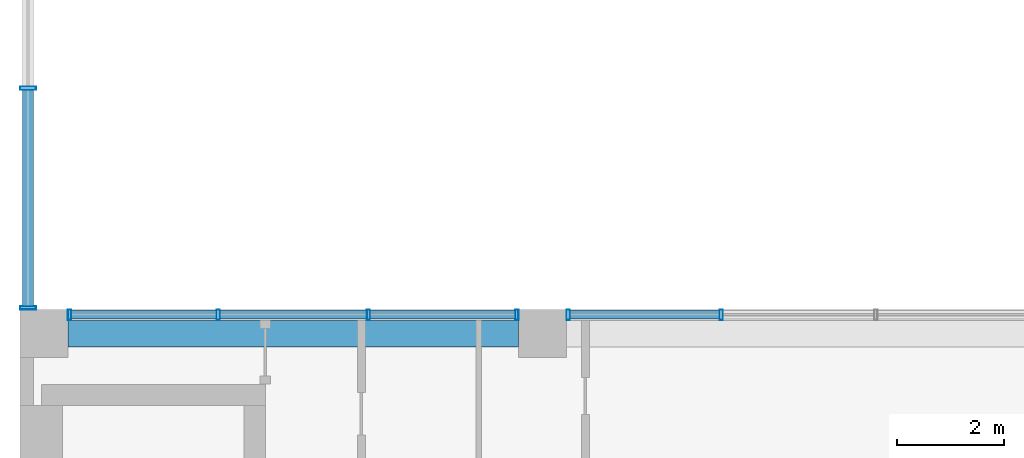
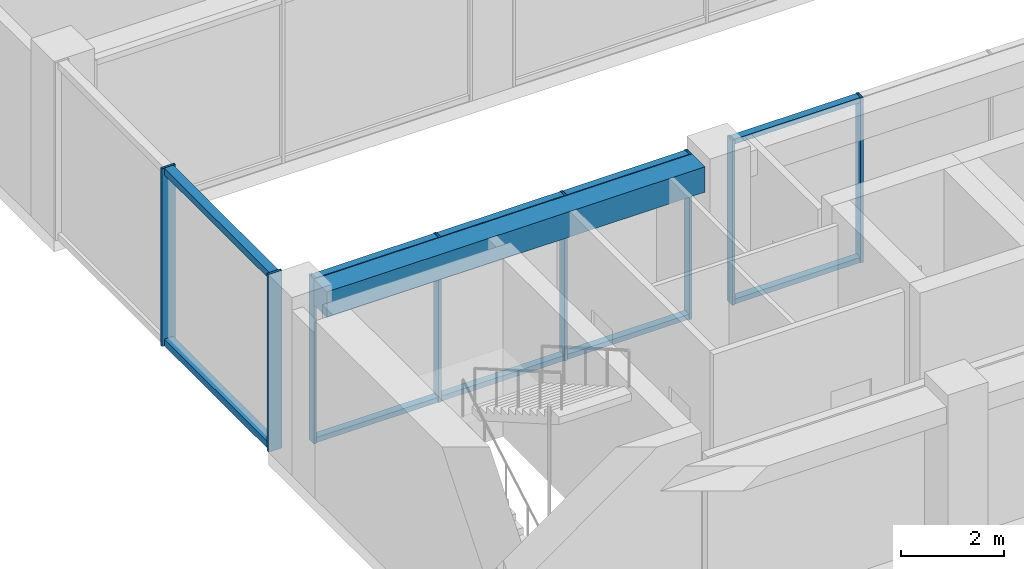
# One storey, part 6 of 37: 18 members, 1 beam, 3 elements without a shape of their own.
"""IFC4 building model written with IfcOpenShell, lengths in metres."""

from ifc_helpers import new_model, si_unit, direction, frame, origin, origin_2d, place, context, subcontext, project, spatial, rectangle, hollow_rectangle, extrude, material, layer, layer_set, material_profile, profile_set, type_object, element, aggregate, save


model = new_model("IFC4")

# Units and contexts
model_context = context("Model", 3, precision=1e-05, world=origin(), true_north=direction((0.0, 1.0)))
body_context = subcontext(model_context, "Body", "Model", "MODEL_VIEW")
ifc_project = project(units=[si_unit("LENGTHUNIT", "METRE"), si_unit("AREAUNIT", "SQUARE_METRE"), si_unit("VOLUMEUNIT", "CUBIC_METRE"), si_unit("PLANEANGLEUNIT", "RADIAN"), si_unit("MASSUNIT", "GRAM", prefix="KILO")], contexts=[model_context])

# Site, building, storey
site_placement = place(None, origin())
site = spatial("IfcSite", under=ifc_project, at=site_placement, CompositionType="ELEMENT")
building_placement = place(site_placement, origin())
building = spatial("IfcBuilding", under=site, at=building_placement, Name="Nzadi Deep Aquarium and Research Tower", CompositionType="ELEMENT")
storey_placement = place(building_placement, frame((0.0, 0.0, 61.300048828125)))
storey = spatial("IfcBuildingStorey", under=building, at=storey_placement, Name="L12", CompositionType="ELEMENT", Elevation=61.300048828125)

# Curtain wall, members
ifc_material_1 = material(Name="Aluminium unitised frame", Category="aluminium")
ifc_layer_1 = layer(ifc_material_1, 0.199951171875)
ifc_layer_set_1 = layer_set([ifc_layer_1], Name="Aluminium unitised frame")
curtain_wall_type_1 = type_object("IfcCurtainWallType", Name="Curtain wall Unitised 200", PredefinedType="NOTDEFINED", material=ifc_layer_set_1)
curtain_wall_1_placement = place(storey_placement, origin())
curtain_wall_1 = element("IfcCurtainWall", 1, at=curtain_wall_1_placement, inside=storey, type_object=curtain_wall_type_1, Name="Unitised curtain wall blade A north L12", PredefinedType="NOTDEFINED")
ifc_material_2 = material(Name="Aluminium unitised frame", Category="aluminium")
ifc_material_profile_1 = material_profile(ifc_material_2, hollow_rectangle(XDim=0.199951171875, YDim=0.06005859375, WallThickness=0.0048828125, at=origin_2d()))
ifc_profile_set_1 = profile_set([ifc_material_profile_1], Name="Aluminium unitised frame")
member_type_1 = type_object("IfcMemberType", Name="Mullion 60x200 Unitised", PredefinedType="MULLION", material=ifc_profile_set_1)
member_1_placement = place(storey_placement, frame((0.72998046875, 18.75, 0.0), z_axis=(0.0, 0.0, 1.0), x_axis=(0.0, 1.0, 0.0)))
member_1 = element("IfcMember", 2, at=member_1_placement, type_object=member_type_1, Name="CW051 mullion 1", PredefinedType="MULLION", context=body_context, shape_type="SweptSolid", body=[
    extrude(hollow_rectangle(XDim=0.199951171875, YDim=0.06005859375, WallThickness=0.0048828125, at=origin_2d()), origin(), (0.0, 0.0, 1.0), 3.89990234375),
])
member_2_placement = place(storey_placement, frame((3.5166015625, 18.75, 0.0), z_axis=(0.0, 0.0, 1.0), x_axis=(0.0, 1.0, 0.0)))
member_2 = element("IfcMember", 3, at=member_2_placement, type_object=member_type_1, Name="CW051 mullion 2", PredefinedType="MULLION", context=body_context, shape_type="SweptSolid", body=[
    extrude(hollow_rectangle(XDim=0.199951171875, YDim=0.06005859375, WallThickness=0.0048828125, at=origin_2d()), origin(), (0.0, 0.0, 1.0), 3.89990234375),
])
member_3_placement = place(storey_placement, frame((6.333251953125, 18.75, 0.0), z_axis=(0.0, 0.0, 1.0), x_axis=(0.0, 1.0, 0.0)))
member_3 = element("IfcMember", 4, at=member_3_placement, type_object=member_type_1, Name="CW051 mullion 3", PredefinedType="MULLION", context=body_context, shape_type="SweptSolid", body=[
    extrude(hollow_rectangle(XDim=0.199951171875, YDim=0.06005859375, WallThickness=0.0048828125, at=origin_2d()), origin(), (0.0, 0.0, 1.0), 3.89990234375),
])
member_4_placement = place(storey_placement, frame((9.1201171875, 18.75, 0.0), z_axis=(0.0, 0.0, 1.0), x_axis=(0.0, 1.0, 0.0)))
member_4 = element("IfcMember", 5, at=member_4_placement, type_object=member_type_1, Name="CW051 mullion 4", PredefinedType="MULLION", context=body_context, shape_type="SweptSolid", body=[
    extrude(hollow_rectangle(XDim=0.199951171875, YDim=0.06005859375, WallThickness=0.0048828125, at=origin_2d()), origin(), (0.0, 0.0, 1.0), 3.89990234375),
])

curtain_wall_2_placement = place(storey_placement, origin())
curtain_wall_2 = element("IfcCurtainWall", 6, at=curtain_wall_2_placement, inside=storey, type_object=curtain_wall_type_1, Name="Unitised curtain wall blade A north L12", PredefinedType="NOTDEFINED")
member_5_placement = place(storey_placement, frame((10.080078125, 18.75, 0.0), z_axis=(0.0, 0.0, 1.0), x_axis=(0.0, 1.0, 0.0)))
member_5 = element("IfcMember", 7, at=member_5_placement, type_object=member_type_1, Name="CW052 mullion 1", PredefinedType="MULLION", context=body_context, shape_type="SweptSolid", body=[
    extrude(hollow_rectangle(XDim=0.199951171875, YDim=0.06005859375, WallThickness=0.0048828125, at=origin_2d()), origin(), (0.0, 0.0, 1.0), 3.89990234375),
])
member_6_placement = place(storey_placement, frame((12.949951171875, 18.75, 0.0), z_axis=(0.0, 0.0, 1.0), x_axis=(0.0, 1.0, 0.0)))
member_6 = element("IfcMember", 8, at=member_6_placement, type_object=member_type_1, Name="CW052 mullion 2", PredefinedType="MULLION", context=body_context, shape_type="SweptSolid", body=[
    extrude(hollow_rectangle(XDim=0.199951171875, YDim=0.06005859375, WallThickness=0.0048828125, at=origin_2d()), origin(), (0.0, 0.0, 1.0), 3.89990234375),
])

ifc_material_3 = material(Name="Aluminium unitised frame wind post", Category="aluminium")
ifc_layer_2 = layer(ifc_material_3, 0.300048828125)
ifc_layer_set_2 = layer_set([ifc_layer_2], Name="Aluminium unitised frame wind post")
curtain_wall_type_2 = type_object("IfcCurtainWallType", Name="Curtain wall Slot End 300", PredefinedType="NOTDEFINED", material=ifc_layer_set_2)
curtain_wall_3_placement = place(storey_placement, origin())
curtain_wall_3 = element("IfcCurtainWall", 9, at=curtain_wall_3_placement, inside=storey, type_object=curtain_wall_type_2, Name="Glazed slot end west L12", PredefinedType="NOTDEFINED")
ifc_material_4 = material(Name="Aluminium unitised frame wind post", Category="aluminium")
ifc_material_profile_2 = material_profile(ifc_material_4, hollow_rectangle(XDim=0.300048828125, YDim=0.06005859375, WallThickness=0.0048828125, at=origin_2d()))
ifc_profile_set_2 = profile_set([ifc_material_profile_2], Name="Aluminium unitised frame wind post")
member_type_2 = type_object("IfcMemberType", Name="Mullion 60x300 Slot End", PredefinedType="MULLION", material=ifc_profile_set_2)
member_7_placement = place(storey_placement, frame((-0.049560546875, 18.8798828125, 0.0), z_axis=(0.0, 0.0, 1.0), x_axis=(-1.0, 0.0, 0.0)))
member_7 = element("IfcMember", 10, at=member_7_placement, type_object=member_type_2, Name="CW215 mullion 1", PredefinedType="MULLION", context=body_context, shape_type="SweptSolid", body=[
    extrude(hollow_rectangle(XDim=0.300048828125, YDim=0.06005859375, WallThickness=0.0048828125, at=origin_2d()), origin(), (0.0, 0.0, 1.0), 4.199951171875),
])
member_8_placement = place(storey_placement, frame((-0.049560546875, 23.0, 0.0), z_axis=(0.0, 0.0, 1.0), x_axis=(-1.0, 0.0, 0.0)))
member_8 = element("IfcMember", 11, at=member_8_placement, type_object=member_type_2, Name="CW215 mullion 2", PredefinedType="MULLION", context=body_context, shape_type="SweptSolid", body=[
    extrude(hollow_rectangle(XDim=0.300048828125, YDim=0.06005859375, WallThickness=0.0048828125, at=origin_2d()), origin(), (0.0, 0.0, 1.0), 4.199951171875),
])

# Beam
ifc_material_5 = material(Name="Concrete C35/45", Category="concrete")
ifc_material_profile_3 = material_profile(ifc_material_5, rectangle(XDim=0.5, YDim=0.60009765625, at=origin_2d()))
ifc_profile_set_3 = profile_set([ifc_material_profile_3], Name="Concrete C35/45")
beam_type = type_object("IfcBeamType", Name="RC 500x600", PredefinedType="BEAM", material=ifc_profile_set_3)
beam_placement = place(storey_placement, frame((0.699951171875, 18.39990234375, 3.599853515625), z_axis=(1.0, 0.0, 0.0), x_axis=(0.0, 1.0, 0.0)))
element("IfcBeam", 12, at=beam_placement, inside=storey, type_object=beam_type, Name="B-Z1-L12-L3-1", PredefinedType="BEAM", context=body_context, shape_type="SweptSolid", body=[
    extrude(rectangle(XDim=0.5, YDim=0.60009765625, at=origin_2d()), origin(), (0.0, 0.0, 1.0), 8.449951171875),
])

# Member
ifc_material_6 = material(Name="Aluminium unitised frame", Category="aluminium")
ifc_material_profile_4 = material_profile(ifc_material_6, hollow_rectangle(XDim=0.159912109375, YDim=0.1201171875, WallThickness=0.0048828125, at=origin_2d()))
ifc_profile_set_4 = profile_set([ifc_material_profile_4], Name="Aluminium unitised frame")
member_type_3 = type_object("IfcMemberType", Name="Transom 120x160 Unitised", PredefinedType="MULLION", material=ifc_profile_set_4)
member_9_placement = place(storey_placement, frame((0.760009765625, 18.75, 0.06005859375), z_axis=(1.0, 0.0, 0.0), x_axis=(0.0, 1.0, 0.0)))
member_9 = element("IfcMember", 13, at=member_9_placement, type_object=member_type_3, Name="CW051 transom 1.1", PredefinedType="MULLION", context=body_context, shape_type="SweptSolid", body=[
    extrude(hollow_rectangle(XDim=0.159912109375, YDim=0.1201171875, WallThickness=0.0048828125, at=origin_2d()), origin(), (0.0, 0.0, 1.0), 2.7265625),
])

member_10_placement = place(storey_placement, frame((0.760009765625, 18.75, 3.83984375), z_axis=(1.0, 0.0, 0.0), x_axis=(0.0, 1.0, 0.0)))
member_10 = element("IfcMember", 14, at=member_10_placement, type_object=member_type_3, Name="CW051 transom 1.2", PredefinedType="MULLION", context=body_context, shape_type="SweptSolid", body=[
    extrude(hollow_rectangle(XDim=0.159912109375, YDim=0.1201171875, WallThickness=0.0048828125, at=origin_2d()), origin(), (0.0, 0.0, 1.0), 2.7265625),
])

member_11_placement = place(storey_placement, frame((3.546630859375, 18.75, 0.06005859375), z_axis=(1.0, 0.0, 0.0), x_axis=(0.0, 1.0, 0.0)))
member_11 = element("IfcMember", 15, at=member_11_placement, type_object=member_type_3, Name="CW051 transom 2.1", PredefinedType="MULLION", context=body_context, shape_type="SweptSolid", body=[
    extrude(hollow_rectangle(XDim=0.159912109375, YDim=0.1201171875, WallThickness=0.0048828125, at=origin_2d()), origin(), (0.0, 0.0, 1.0), 2.756591796875),
])

member_12_placement = place(storey_placement, frame((3.546630859375, 18.75, 3.83984375), z_axis=(1.0, 0.0, 0.0), x_axis=(0.0, 1.0, 0.0)))
member_12 = element("IfcMember", 16, at=member_12_placement, type_object=member_type_3, Name="CW051 transom 2.2", PredefinedType="MULLION", context=body_context, shape_type="SweptSolid", body=[
    extrude(hollow_rectangle(XDim=0.159912109375, YDim=0.1201171875, WallThickness=0.0048828125, at=origin_2d()), origin(), (0.0, 0.0, 1.0), 2.756591796875),
])

member_13_placement = place(storey_placement, frame((6.36328125, 18.75, 0.06005859375), z_axis=(1.0, 0.0, 0.0), x_axis=(0.0, 1.0, 0.0)))
member_13 = element("IfcMember", 17, at=member_13_placement, type_object=member_type_3, Name="CW051 transom 3.1", PredefinedType="MULLION", context=body_context, shape_type="SweptSolid", body=[
    extrude(hollow_rectangle(XDim=0.159912109375, YDim=0.1201171875, WallThickness=0.0048828125, at=origin_2d()), origin(), (0.0, 0.0, 1.0), 2.726806640625),
])

member_14_placement = place(storey_placement, frame((6.36328125, 18.75, 3.83984375), z_axis=(1.0, 0.0, 0.0), x_axis=(0.0, 1.0, 0.0)))
member_14 = element("IfcMember", 18, at=member_14_placement, type_object=member_type_3, Name="CW051 transom 3.2", PredefinedType="MULLION", context=body_context, shape_type="SweptSolid", body=[
    extrude(hollow_rectangle(XDim=0.159912109375, YDim=0.1201171875, WallThickness=0.0048828125, at=origin_2d()), origin(), (0.0, 0.0, 1.0), 2.726806640625),
])

aggregate(curtain_wall_1, [member_1, member_2, member_3, member_4, member_9, member_10, member_11, member_12, member_13, member_14])

member_15_placement = place(storey_placement, frame((10.110107421875, 18.75, 0.06005859375), z_axis=(1.0, 0.0, 0.0), x_axis=(0.0, 1.0, 0.0)))
member_15 = element("IfcMember", 19, at=member_15_placement, type_object=member_type_3, Name="CW052 transom 1.1", PredefinedType="MULLION", context=body_context, shape_type="SweptSolid", body=[
    extrude(hollow_rectangle(XDim=0.159912109375, YDim=0.1201171875, WallThickness=0.0048828125, at=origin_2d()), origin(), (0.0, 0.0, 1.0), 2.809814453125),
])

member_16_placement = place(storey_placement, frame((10.110107421875, 18.75, 3.83984375), z_axis=(1.0, 0.0, 0.0), x_axis=(0.0, 1.0, 0.0)))
member_16 = element("IfcMember", 20, at=member_16_placement, type_object=member_type_3, Name="CW052 transom 1.2", PredefinedType="MULLION", context=body_context, shape_type="SweptSolid", body=[
    extrude(hollow_rectangle(XDim=0.159912109375, YDim=0.1201171875, WallThickness=0.0048828125, at=origin_2d()), origin(), (0.0, 0.0, 1.0), 2.809814453125),
])

aggregate(curtain_wall_2, [member_5, member_6, member_15, member_16])

ifc_material_7 = material(Name="Aluminium unitised frame wind post", Category="aluminium")
ifc_material_profile_5 = material_profile(ifc_material_7, hollow_rectangle(XDim=0.199951171875, YDim=0.159912109375, WallThickness=0.0048828125, at=origin_2d()))
ifc_profile_set_5 = profile_set([ifc_material_profile_5], Name="Aluminium unitised frame wind post")
member_type_4 = type_object("IfcMemberType", Name="Transom 160x200 Slot End", PredefinedType="MULLION", material=ifc_profile_set_5)
member_17_placement = place(storey_placement, frame((-0.050048828125, 18.909912109375, 0.079833984375), z_axis=(0.0, 1.0, 0.0), x_axis=(-1.0, 0.0, 0.0)))
member_17 = element("IfcMember", 21, at=member_17_placement, type_object=member_type_4, Name="CW215 transom 1.1", PredefinedType="MULLION", context=body_context, shape_type="SweptSolid", body=[
    extrude(hollow_rectangle(XDim=0.199951171875, YDim=0.159912109375, WallThickness=0.0048828125, at=origin_2d()), origin(), (0.0, 0.0, 1.0), 4.06005859375),
])

member_18_placement = place(storey_placement, frame((-0.050048828125, 18.909912109375, 4.119873046875), z_axis=(0.0, 1.0, 0.0), x_axis=(-1.0, 0.0, 0.0)))
member_18 = element("IfcMember", 22, at=member_18_placement, type_object=member_type_4, Name="CW215 transom 1.2", PredefinedType="MULLION", context=body_context, shape_type="SweptSolid", body=[
    extrude(hollow_rectangle(XDim=0.199951171875, YDim=0.159912109375, WallThickness=0.0048828125, at=origin_2d()), origin(), (0.0, 0.0, 1.0), 4.06005859375),
])

aggregate(curtain_wall_3, [member_7, member_8, member_17, member_18])

save(model, "model.ifc")
